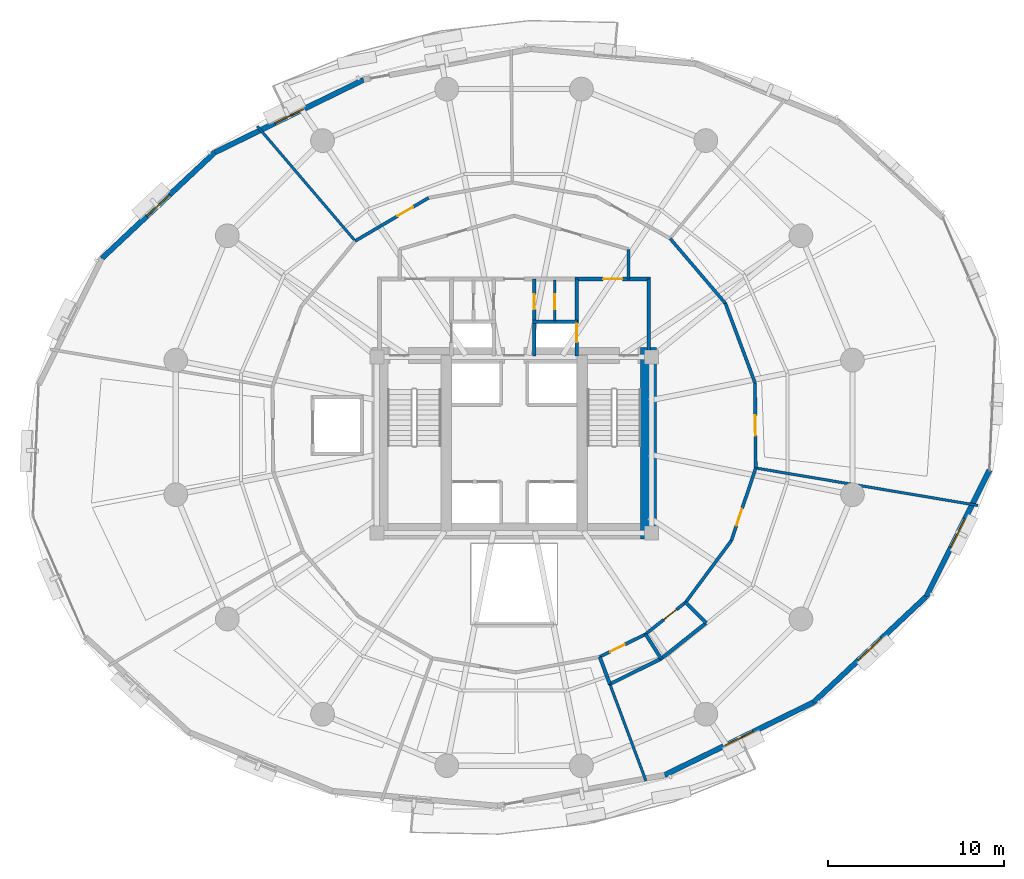
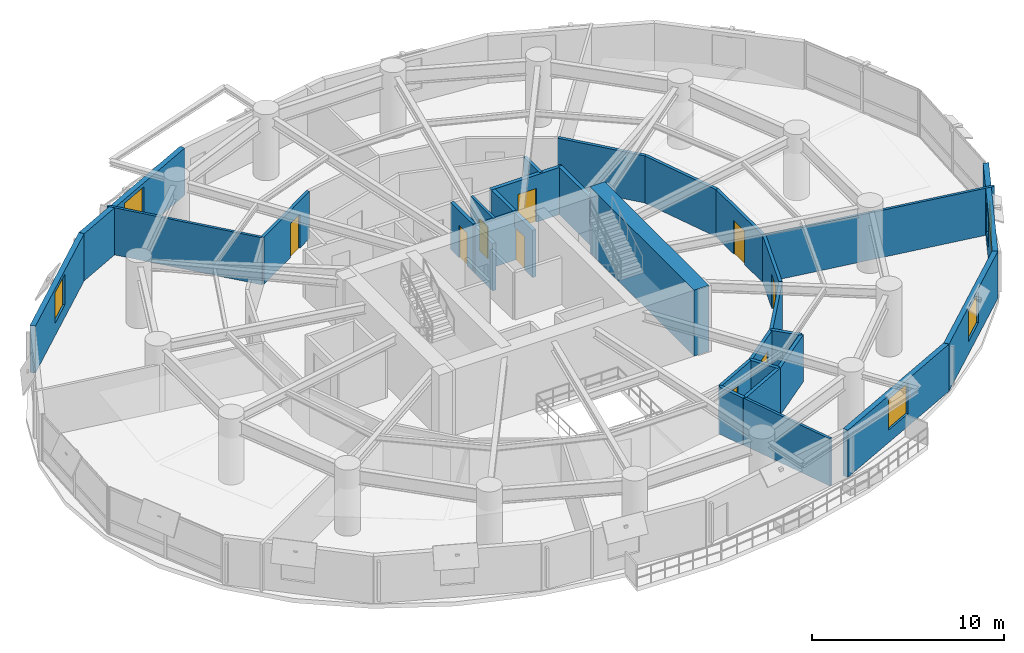
# One storey, part 13 of 17: 29 walls, 9 doors, 5 windows, 14 openings.
"""IFC4 building model written with IfcOpenShell, lengths in metres."""

import ifcopenshell
import ifcopenshell.guid

model = None  # the IFC model being written
_history = None  # IfcOwnerHistory: only IFC2X3 demands one
_inside = {}  # id of a spatial element -> (the spatial element, [elements in it])
_under = {}  # id of a project, library or spatial element -> (it, [spatial elements below it])
_declared = {}  # id of a project -> (the project, [libraries it declares])
_typed = {}  # id of a type object -> (the type object, [elements of that type])
_made_of = {}  # id of a material, layer set ... -> (it, [elements and type objects made of it])


def new_model(schema):
    """Start an empty IFC model of exactly this schema.

    Asked for "IFC4X3", IfcOpenShell would pick the latest addendum, in which some entities
    have other attributes; the version numbers below select the first issue.
    IFC2X3 requires an IfcOwnerHistory on every rooted entity: one is made here for all.
    """
    global model, _history
    if schema == "IFC4X3":
        model = ifcopenshell.file(schema_version=(4, 3, 0, 0))
    else:
        model = ifcopenshell.file(schema=schema)
    _inside.clear()
    _under.clear()
    _declared.clear()
    _typed.clear()
    _made_of.clear()
    _history = None
    if model.schema == "IFC2X3":
        org = make("IfcOrganization", Name="unknown")
        user = make(
            "IfcPersonAndOrganization",
            ThePerson=make("IfcPerson", FamilyName="unknown"),
            TheOrganization=org,
        )
        app = make(
            "IfcApplication",
            ApplicationDeveloper=org,
            Version="unknown",
            ApplicationFullName="unknown",
            ApplicationIdentifier="unknown",
        )
        _history = make(
            "IfcOwnerHistory",
            OwningUser=user,
            OwningApplication=app,
            ChangeAction="ADDED",
            CreationDate=0,
        )
    return model


def make(cls, **values):
    """One entity of the class cls with the attributes given. An attribute that is None is left unset."""
    return model.create_entity(
        cls, **{name: value for name, value in values.items() if value is not None}
    )


def rooted(cls, **values):
    """An entity with a GlobalId (a new one), such as an element, a storey or a relation."""
    return make(cls, GlobalId=ifcopenshell.guid.new(), OwnerHistory=_history, **values)


def si_unit(unit_type, name, prefix=None):
    """IfcSIUnit, for example si_unit("LENGTHUNIT", "METRE", prefix="MILLI")."""
    return make("IfcSIUnit", UnitType=unit_type, Prefix=prefix, Name=name)


def assignment(units):
    """IfcUnitAssignment: the units of a project."""
    return None if units is None else make("IfcUnitAssignment", Units=units)


def point(xyz):
    """IfcCartesianPoint."""
    return None if xyz is None else make("IfcCartesianPoint", Coordinates=xyz)


def direction(xyz):
    """IfcDirection."""
    return None if xyz is None else make("IfcDirection", DirectionRatios=xyz)


def frame(location, z_axis=None, x_axis=None):
    """IfcAxis2Placement3D, a coordinate frame: its origin and axes. An axis left out is left unset."""
    return make(
        "IfcAxis2Placement3D",
        Location=point(location),
        Axis=direction(z_axis),
        RefDirection=direction(x_axis),
    )


def frame_2d(location, x_axis=None):
    """IfcAxis2Placement2D, a coordinate frame in the plane: its origin and x axis."""
    return make(
        "IfcAxis2Placement2D", Location=point(location), RefDirection=direction(x_axis)
    )


def origin():
    """The frame at (0, 0, 0) with its axes left unset."""
    return frame((0.0, 0.0, 0.0))


def place(relative_to, where):
    """IfcLocalPlacement: puts the frame where relative to a parent placement (None: the world)."""
    return make(
        "IfcLocalPlacement", PlacementRelTo=relative_to, RelativePlacement=where
    )


def context(
    kind, dimensions, precision=None, world=None, true_north=None, identifier=None
):
    """IfcGeometricRepresentationContext, for example the 3D "Model" context."""
    return make(
        "IfcGeometricRepresentationContext",
        ContextIdentifier=identifier,
        ContextType=kind,
        CoordinateSpaceDimension=dimensions,
        Precision=precision,
        WorldCoordinateSystem=world,
        TrueNorth=true_north,
    )


def subcontext(parent, identifier, kind, view, scale=None):
    """IfcGeometricRepresentationSubContext, for example "Body" below "Model"."""
    return make(
        "IfcGeometricRepresentationSubContext",
        ContextIdentifier=identifier,
        ContextType=kind,
        ParentContext=parent,
        TargetScale=scale,
        TargetView=view,
    )


def project(units=None, contexts=None):
    """IfcProject with its units and contexts."""
    return rooted(
        "IfcProject",
        Name="project",
        RepresentationContexts=contexts,
        UnitsInContext=assignment(units),
    )


def spatial(cls, under=None, at=None, **own):
    """A site, building, storey or space (cls), placed at a placement, below another one or the project."""
    s = rooted(cls, ObjectPlacement=at, **own)
    if under is not None:
        _under.setdefault(under.id(), (under, []))[1].append(s)
    return s


def profile(cls, at=None, kind="AREA", **sizes):
    """A parametric profile (cls). Its sizes go by their IFC names, for example OverallWidth=200.0."""
    return make(cls, ProfileType=kind, Position=at, **sizes)


def rectangle(**sizes):
    """IfcRectangleProfileDef."""
    return profile("IfcRectangleProfileDef", **sizes)


def extrude(swept, where, along, depth):
    """IfcExtrudedAreaSolid: the profile swept, set in the frame where, extruded along a direction by depth."""
    return make(
        "IfcExtrudedAreaSolid",
        SweptArea=swept,
        Position=where,
        ExtrudedDirection=direction(along),
        Depth=depth,
    )


def shape(context_of_items, identifier, shape_type, items):
    """IfcShapeRepresentation: the items that make up one representation, for example the "Body"."""
    return make(
        "IfcShapeRepresentation",
        ContextOfItems=context_of_items,
        RepresentationIdentifier=identifier,
        RepresentationType=shape_type,
        Items=items,
    )


def material(Name=None, Category=None):
    """IfcMaterial."""
    return make("IfcMaterial", Name=Name, Category=Category)


def layer(
    of_material, thickness, ventilated=None, Name=None, Category=None, Priority=None
):
    """IfcMaterialLayer: one layer of a wall or slab, of a material (None: an air gap)."""
    return make(
        "IfcMaterialLayer",
        Material=of_material,
        LayerThickness=thickness,
        IsVentilated=ventilated,
        Name=Name,
        Category=Category,
        Priority=Priority,
    )


def layer_set(layers, Name=None):
    """IfcMaterialLayerSet."""
    return make("IfcMaterialLayerSet", MaterialLayers=layers, LayerSetName=Name)


def made_of(thing, what):
    """Note that an element or type object is made of a material, layer set ...; save() writes the relation."""
    if what is not None:
        _made_of.setdefault(what.id(), (what, []))[1].append(thing)
    return thing


def type_object(cls, material=None, **own):
    """A type object (cls), such as IfcWallType, which elements share."""
    return made_of(rooted(cls, **own), material)


def element(
    cls,
    number,
    at=None,
    inside=None,
    cuts=None,
    type_object=None,
    material=None,
    context=None,
    identifier="Body",
    shape_type=None,
    held_by="IfcProductDefinitionShape",
    body=None,
    shapes=None,
    **own,
):
    """One element of the class cls, such as IfcWall. Its Tag is "e" and its number.

    at: its placement. inside: the storey or other place that contains it. cuts: it is an
    opening in that element (IfcRelVoidsElement). A single representation is given by context,
    identifier, shape_type and body (its items); several are given by shapes. held_by: the class
    of the entity that holds the representations. save() writes the other relations.
    """
    e = rooted(cls, Tag="e%d" % number, ObjectPlacement=at, **own)
    if body is not None:
        shapes = [shape(context, identifier, shape_type, body)]
    if shapes is not None:
        e.Representation = make(held_by, Representations=shapes)
    if inside is not None:
        _inside.setdefault(inside.id(), (inside, []))[1].append(e)
    if cuts is not None:
        rooted(
            "IfcRelVoidsElement", RelatingBuildingElement=cuts, RelatedOpeningElement=e
        )
    if type_object is not None:
        _typed.setdefault(type_object.id(), (type_object, []))[1].append(e)
    return made_of(e, material)


def fill(opening, filler):
    """IfcRelFillsElement: the door or window that sits in an opening."""
    return rooted(
        "IfcRelFillsElement",
        RelatingOpeningElement=opening,
        RelatedBuildingElement=filler,
    )


def aggregate(whole, parts):
    """IfcRelAggregates: a whole, such as a stair, and the parts it consists of."""
    return rooted("IfcRelAggregates", RelatingObject=whole, RelatedObjects=parts)


def save(model, path):
    """Write the relations noted so far, then the file.

    IfcRelAggregates (storeys below a building ...), IfcRelContainedInSpatialStructure (elements
    in a storey), IfcRelDefinesByType, IfcRelAssociatesMaterial and IfcRelDeclares: one each for
    every whole, place, type object, material and project.
    """
    for whole, parts in _under.values():
        aggregate(whole, parts)
    for where, things in _inside.values():
        rooted(
            "IfcRelContainedInSpatialStructure",
            RelatedElements=things,
            RelatingStructure=where,
        )
    for kind, things in _typed.values():
        rooted("IfcRelDefinesByType", RelatedObjects=things, RelatingType=kind)
    for what, things in _made_of.values():
        rooted("IfcRelAssociatesMaterial", RelatedObjects=things, RelatingMaterial=what)
    for by, libraries in _declared.values():
        rooted("IfcRelDeclares", RelatingContext=by, RelatedDefinitions=libraries)
    model.write(path)


model = new_model("IFC4")

# Units and contexts
model_context = context("Model", 3, precision=1e-05, world=origin(), true_north=direction((0.0, 1.0)))
body_context = subcontext(model_context, "Body", "Model", "MODEL_VIEW")
ifc_project = project(units=[si_unit("LENGTHUNIT", "METRE"), si_unit("AREAUNIT", "SQUARE_METRE"), si_unit("VOLUMEUNIT", "CUBIC_METRE"), si_unit("PLANEANGLEUNIT", "RADIAN"), si_unit("MASSUNIT", "GRAM", prefix="KILO"), si_unit("THERMODYNAMICTEMPERATUREUNIT", "KELVIN"), si_unit("POWERUNIT", "WATT")], contexts=[model_context])

# Site, building, storey
site_placement = place(None, origin())
site = spatial("IfcSite", under=ifc_project, at=site_placement, CompositionType="ELEMENT")
building_placement = place(site_placement, origin())
building = spatial("IfcBuilding", under=site, at=building_placement, Name="Ocrelia Relay Tower", CompositionType="ELEMENT")
storey_placement = place(building_placement, frame((0.0, 0.0, 76.199951171875)))
storey = spatial("IfcBuildingStorey", under=building, at=storey_placement, Name="L17", CompositionType="ELEMENT", Elevation=76.199951171875)

# Walls
ifc_material_1 = material(Name="Concrete C70/85", Category="concrete")
ifc_layer_1 = layer(ifc_material_1, 0.89990234375, Name="Concrete C70/85")
ifc_layer_set_1 = layer_set([ifc_layer_1], Name="Concrete C70/85")
wall_type_1 = type_object("IfcWallType", Name="CW-CORE-900", PredefinedType="SHEAR", material=ifc_layer_set_1)
wall_1_placement = place(storey_placement, frame((41.637939453125, 19.662109375, 0.0), z_axis=(0.0, 0.0, 1.0), x_axis=(0.0, 1.0, 0.0)))
element("IfcWall", 1, at=wall_1_placement, inside=storey, type_object=wall_type_1, Name="L17 Core Shear Wall E", PredefinedType="SHEAR", context=body_context, shape_type="SweptSolid", body=[
    extrude(rectangle(XDim=10.8759765625, YDim=0.89990234375, at=frame_2d((5.43798828125, 0.0))), origin(), (0.0, 0.0, 1.0), 4.199951171875),
])
ifc_material_2 = material(Name="Gypsum Fireboard Partition EI60", Category="gypsum")
ifc_layer_2 = layer(ifc_material_2, 0.179931640625, Name="Gypsum Fireboard Partition EI60")
ifc_layer_set_2 = layer_set([ifc_layer_2], Name="Gypsum Fireboard Partition EI60")
wall_type_2 = type_object("IfcWallType", Name="W-CORR-EI60-180", PredefinedType="PARTITIONING", material=ifc_layer_set_2)
wall_2_placement = place(storey_placement, frame((40.5, 36.122802734375, 0.0), z_axis=(0.0, 0.0, 1.0), x_axis=(0.0, -1.0, 0.0)))
element("IfcWall", 2, at=wall_2_placement, inside=storey, type_object=wall_type_2, Name="L17 Smoke Lobby East Return", PredefinedType="PARTITIONING", context=body_context, shape_type="SweptSolid", body=[
    extrude(rectangle(XDim=1.69287109375, YDim=0.179931640625, at=frame_2d((0.846435546875, 0.0))), origin(), (0.0, 0.0, 1.0), 3.0),
])

# Wall, opening, door
wall_3_placement = place(storey_placement, frame((38.863525390625, 12.957275390625, 0.0), z_axis=(0.0, 0.0, 1.0), x_axis=(0.895331425302, 0.445400537568, 0.0)))
wall_3 = element("IfcWall", 3, at=wall_3_placement, inside=storey, type_object=wall_type_2, Name="L17 Staff Toilet Corridor Wall", PredefinedType="PARTITIONING", context=body_context, shape_type="SweptSolid", body=[
    extrude(rectangle(XDim=2.91015625, YDim=0.179931640625, at=frame_2d((1.455078125, 0.0))), origin(), (0.0, 0.0, 1.0), 3.0),
])
opening_1_placement = place(wall_3_placement, frame((0.6689453125, 0.0, 0.0)))
opening_1 = element("IfcOpeningElement", 4, at=opening_1_placement, cuts=wall_3, Name="Opening D-WC92", PredefinedType="OPENING", context=body_context, shape_type="SweptSolid", body=[
    extrude(rectangle(XDim=0.919921875, YDim=2.10009765625, at=frame_2d((0.4599609375, 1.050048828125))), frame((0.0, 0.10009765625, 0.0), z_axis=(0.0, -1.0, 0.0), x_axis=(1.0, 0.0, 0.0)), (0.0, 0.0, 1.0), 0.199951171875),
])
ifc_material_3 = material(Name="Laminate washroom door", Category="wood")
door_type_1 = type_object("IfcDoorType", Name="DR-WC-920", OperationType="NOTDEFINED", PredefinedType="DOOR", material=ifc_material_3)
door_1_placement = place(opening_1_placement, origin())
door_1 = element("IfcDoor", 5, at=door_1_placement, inside=storey, type_object=door_type_1, Name="L17 Staff Toilet Door", OperationType="SINGLE_SWING_RIGHT", OverallHeight=2.10009765625, OverallWidth=0.919921875, PredefinedType="DOOR", context=body_context, shape_type="SweptSolid", body=[
    extrude(rectangle(XDim=0.919921875, YDim=2.10009765625, at=frame_2d((0.4599609375, 1.050048828125))), frame((0.0, 0.02490234375, 0.0), z_axis=(0.0, -1.0, 0.0), x_axis=(1.0, 0.0, 0.0)), (0.0, 0.0, 1.0), 0.050048828125),
])
fill(opening_1, door_1)

wall_4_placement = place(storey_placement, frame((41.468994140625, 14.25341796875, 0.0), z_axis=(0.0, 0.0, 1.0), x_axis=(0.783155307365, 0.621826152993, 0.0)))
wall_4 = element("IfcWall", 6, at=wall_4_placement, inside=storey, type_object=wall_type_2, Name="L17 Accessible Toilet Corridor Wall", PredefinedType="PARTITIONING", context=body_context, shape_type="SweptSolid", body=[
    extrude(rectangle(XDim=2.91015625, YDim=0.179931640625, at=frame_2d((1.455078125, 0.0))), origin(), (0.0, 0.0, 1.0), 3.0),
])
opening_2_placement = place(wall_4_placement, frame((1.321044921875, 0.0, 0.0)))
opening_2 = element("IfcOpeningElement", 7, at=opening_2_placement, cuts=wall_4, Name="Opening D-WC92", PredefinedType="OPENING", context=body_context, shape_type="SweptSolid", body=[
    extrude(rectangle(XDim=0.919921875, YDim=2.10009765625, at=frame_2d((0.4599609375, 1.050048828125))), frame((0.0, 0.10009765625, 0.0), z_axis=(0.0, -1.0, 0.0), x_axis=(1.0, 0.0, 0.0)), (0.0, 0.0, 1.0), 0.199951171875),
])
door_2_placement = place(opening_2_placement, origin())
door_2 = element("IfcDoor", 8, at=door_2_placement, inside=storey, type_object=door_type_1, Name="L17 Accessible Toilet Door", OperationType="SINGLE_SWING_LEFT", OverallHeight=2.10009765625, OverallWidth=0.919921875, PredefinedType="DOOR", context=body_context, shape_type="SweptSolid", body=[
    extrude(rectangle(XDim=0.919921875, YDim=2.10009765625, at=frame_2d((0.4599609375, 1.050048828125))), frame((0.0, 0.02490234375, 0.0), z_axis=(0.0, -1.0, 0.0), x_axis=(1.0, 0.0, 0.0)), (0.0, 0.0, 1.0), 0.050048828125),
])
fill(opening_2, door_2)

# Wall
wall_5_placement = place(storey_placement, frame((43.748046875, 16.06298828125, 0.0), z_axis=(0.0, 0.0, 1.0), x_axis=(0.595496979613, 0.803357546346, 0.0)))
element("IfcWall", 9, at=wall_5_placement, inside=storey, type_object=wall_type_2, Name="L17 Fiber Patch Store Corridor Partition 1", PredefinedType="PARTITIONING", context=body_context, shape_type="SweptSolid", body=[
    extrude(rectangle(XDim=4.355224609375, YDim=0.179931640625, at=frame_2d((2.177734375, 0.0))), origin(), (0.0, 0.0, 1.0), 3.0),
])

# Wall, opening, door
wall_6_placement = place(storey_placement, frame((46.341552734375, 19.561767578125, 0.0), z_axis=(0.0, 0.0, 1.0), x_axis=(0.318127487837, 0.948047942608, 0.0)))
wall_6 = element("IfcWall", 10, at=wall_6_placement, inside=storey, type_object=wall_type_2, Name="L17 Fiber Patch Store Corridor Partition 2", PredefinedType="PARTITIONING", context=body_context, shape_type="SweptSolid", body=[
    extrude(rectangle(XDim=4.355224609375, YDim=0.179931640625, at=frame_2d((2.177734375, 0.0))), origin(), (0.0, 0.0, 1.0), 3.0),
])
opening_3_placement = place(wall_6_placement, frame((0.913818359375, 0.0, 0.0)))
opening_3 = element("IfcOpeningElement", 11, at=opening_3_placement, cuts=wall_6, Name="Opening D-RM100", PredefinedType="OPENING", context=body_context, shape_type="SweptSolid", body=[
    extrude(rectangle(XDim=1.0, YDim=2.14990234375, at=frame_2d((0.5, 1.074951171875))), frame((0.0, 0.10009765625, 0.0), z_axis=(0.0, -1.0, 0.0), x_axis=(1.0, 0.0, 0.0)), (0.0, 0.0, 1.0), 0.199951171875),
])
ifc_material_4 = material(Name="Acoustic oak veneer fire door", Category="wood")
door_type_2 = type_object("IfcDoorType", Name="DR-ROOM-FD60-1000", OperationType="NOTDEFINED", PredefinedType="DOOR", material=ifc_material_4)
door_3_placement = place(opening_3_placement, origin())
door_3 = element("IfcDoor", 12, at=door_3_placement, inside=storey, type_object=door_type_2, Name="L17 Fiber Patch Store Entrance Door", OperationType="SINGLE_SWING_RIGHT", OverallHeight=2.14990234375, OverallWidth=1.0, PredefinedType="DOOR", context=body_context, shape_type="SweptSolid", body=[
    extrude(rectangle(XDim=1.0, YDim=2.14990234375, at=frame_2d((0.5, 1.074951171875))), frame((0.0, 0.02490234375, 0.0), z_axis=(0.0, -1.0, 0.0), x_axis=(1.0, 0.0, 0.0)), (0.0, 0.0, 1.0), 0.050048828125),
])
fill(opening_3, door_3)

wall_7_placement = place(storey_placement, frame((47.72705078125, 23.690673828125, 0.0), z_axis=(0.0, 0.0, 1.0), x_axis=(-0.007827647661, 0.999969363497, 0.0)))
wall_7 = element("IfcWall", 13, at=wall_7_placement, inside=storey, type_object=wall_type_2, Name="L17 Colocation Data Hall A Corridor Partition 1", PredefinedType="PARTITIONING", context=body_context, shape_type="SweptSolid", body=[
    extrude(rectangle(XDim=4.83447265625, YDim=0.179931640625, at=frame_2d((2.417236328125, 0.0))), origin(), (0.0, 0.0, 1.0), 3.0),
])
opening_4_placement = place(wall_7_placement, frame((1.84228515625, 0.0, 0.0)))
opening_4 = element("IfcOpeningElement", 14, at=opening_4_placement, cuts=wall_7, Name="Opening D-RM115", PredefinedType="OPENING", context=body_context, shape_type="SweptSolid", body=[
    extrude(rectangle(XDim=1.14990234375, YDim=2.14990234375, at=frame_2d((0.574951171875, 1.074951171875))), frame((0.0, 0.10009765625, 0.0), z_axis=(0.0, -1.0, 0.0), x_axis=(1.0, 0.0, 0.0)), (0.0, 0.0, 1.0), 0.199951171875),
])
ifc_material_5 = material(Name="Wide acoustic oak veneer fire door", Category="wood")
door_type_3 = type_object("IfcDoorType", Name="DR-ROOM-1150", OperationType="NOTDEFINED", PredefinedType="DOOR", material=ifc_material_5)
door_4_placement = place(opening_4_placement, origin())
door_4 = element("IfcDoor", 15, at=door_4_placement, inside=storey, type_object=door_type_3, Name="L17 Colocation Data Hall A Entrance Door", OperationType="SINGLE_SWING_LEFT", OverallHeight=2.14990234375, OverallWidth=1.14990234375, PredefinedType="DOOR", context=body_context, shape_type="SweptSolid", body=[
    extrude(rectangle(XDim=1.14990234375, YDim=2.14990234375, at=frame_2d((0.574951171875, 1.074951171875))), frame((0.0, 0.02490234375, 0.0), z_axis=(0.0, -1.0, 0.0), x_axis=(1.0, 0.0, 0.0)), (0.0, 0.0, 1.0), 0.050048828125),
])
fill(opening_4, door_4)

# Walls
wall_8_placement = place(storey_placement, frame((47.689208984375, 28.52490234375, 0.0), z_axis=(0.0, 0.0, 1.0), x_axis=(-0.349423780352, 0.936964792148, 0.0)))
element("IfcWall", 16, at=wall_8_placement, inside=storey, type_object=wall_type_2, Name="L17 Colocation Data Hall A Corridor Partition 2", PredefinedType="PARTITIONING", context=body_context, shape_type="SweptSolid", body=[
    extrude(rectangle(XDim=4.834228515625, YDim=0.179931640625, at=frame_2d((2.4169921875, 0.0))), origin(), (0.0, 0.0, 1.0), 3.0),
])
wall_9_placement = place(storey_placement, frame((46.0, 33.054443359375, 0.0), z_axis=(0.0, 0.0, 1.0), x_axis=(-0.648772052091, 0.760982801662, 0.0)))
element("IfcWall", 17, at=wall_9_placement, inside=storey, type_object=wall_type_2, Name="L17 Colocation Data Hall A Corridor Partition 3", PredefinedType="PARTITIONING", context=body_context, shape_type="SweptSolid", body=[
    extrude(rectangle(XDim=4.83447265625, YDim=0.179931640625, at=frame_2d((2.417236328125, 0.0))), origin(), (0.0, 0.0, 1.0), 3.0),
])

# Wall, opening, door
wall_10_placement = place(storey_placement, frame((29.136474609375, 39.042724609375, 0.0), z_axis=(0.0, 0.0, 1.0), x_axis=(-0.862070500673, -0.506788369904, 0.0)))
wall_10 = element("IfcWall", 18, at=wall_10_placement, inside=storey, type_object=wall_type_2, Name="L17 Archive Vault Store Corridor Partition 2", PredefinedType="PARTITIONING", context=body_context, shape_type="SweptSolid", body=[
    extrude(rectangle(XDim=4.834228515625, YDim=0.179931640625, at=frame_2d((2.4169921875, 0.0))), origin(), (0.0, 0.0, 1.0), 3.0),
])
opening_5_placement = place(wall_10_placement, frame((1.03369140625, 0.0, 0.0)))
opening_5 = element("IfcOpeningElement", 19, at=opening_5_placement, cuts=wall_10, Name="Opening D-RM100", PredefinedType="OPENING", context=body_context, shape_type="SweptSolid", body=[
    extrude(rectangle(XDim=1.0, YDim=2.14990234375, at=frame_2d((0.5, 1.074951171875))), frame((0.0, 0.10009765625, 0.0), z_axis=(0.0, -1.0, 0.0), x_axis=(1.0, 0.0, 0.0)), (0.0, 0.0, 1.0), 0.199951171875),
])
door_5_placement = place(opening_5_placement, origin())
door_5 = element("IfcDoor", 20, at=door_5_placement, inside=storey, type_object=door_type_2, Name="L17 Archive Vault Store Entrance Door", OperationType="SINGLE_SWING_LEFT", OverallHeight=2.14990234375, OverallWidth=1.0, PredefinedType="DOOR", context=body_context, shape_type="SweptSolid", body=[
    extrude(rectangle(XDim=1.0, YDim=2.14990234375, at=frame_2d((0.5, 1.074951171875))), frame((0.0, 0.02490234375, 0.0), z_axis=(0.0, -1.0, 0.0), x_axis=(1.0, 0.0, 0.0)), (0.0, 0.0, 1.0), 0.050048828125),
])
fill(opening_5, door_5)

# Wall, opening, window
ifc_material_6 = material(Name="Precast concrete C40/50 with oxide terracotta", Category="masonry")
ifc_layer_3 = layer(ifc_material_6, 0.300048828125, Name="Precast concrete C40/50 with oxide terracotta")
ifc_layer_set_3 = layer_set([ifc_layer_3], Name="Precast concrete C40/50 with oxide terracotta")
wall_type_3 = type_object("IfcWallType", Name="W-EXT-TERR-300", PredefinedType="SOLIDWALL", material=ifc_layer_set_3)
wall_11_placement = place(storey_placement, frame((25.447998046875, 45.7529296875, 0.0), z_axis=(0.0, 0.0, 1.0), x_axis=(-0.898541129578, -0.438889323699, 0.0)))
wall_11 = element("IfcWall", 21, at=wall_11_placement, inside=storey, type_object=wall_type_3, Name="L17 Oxide Terracotta Facade Wall 06", PredefinedType="SOLIDWALL", context=body_context, shape_type="SweptSolid", body=[
    extrude(rectangle(XDim=9.418701171875, YDim=0.300048828125, at=frame_2d((4.70947265625, 0.0))), origin(), (0.0, 0.0, 1.0), 3.0),
])
opening_6_placement = place(wall_11_placement, frame((3.80908203125, 0.0, 0.800048828125)))
opening_6 = element("IfcOpeningElement", 22, at=opening_6_placement, cuts=wall_11, Name="Opening W-02", PredefinedType="OPENING", context=body_context, shape_type="SweptSolid", body=[
    extrude(rectangle(XDim=1.800048828125, YDim=1.949951171875, at=frame_2d((0.89990234375, 0.97509765625))), frame((0.0, 0.16015625, 0.0), z_axis=(0.0, -1.0, 0.0), x_axis=(1.0, 0.0, 0.0)), (0.0, 0.0, 1.0), 0.320068359375),
])
ifc_material_7 = material(Name="Clear double-glazed low-E glass", Category="glass")
window_type = type_object("IfcWindowType", Name="WIN-Z1-1800x2100", PartitioningType="DOUBLE_PANEL_VERTICAL", PredefinedType="WINDOW", material=ifc_material_7)
window_1_placement = place(opening_6_placement, origin())
window_1 = element("IfcWindow", 23, at=window_1_placement, inside=storey, type_object=window_type, Name="L17 Facade Module Window 06", OverallHeight=1.949951171875, OverallWidth=1.800048828125, PartitioningType="SINGLE_PANEL", PredefinedType="WINDOW", context=body_context, shape_type="SweptSolid", body=[
    extrude(rectangle(XDim=1.800048828125, YDim=1.949951171875, at=frame_2d((0.89990234375, 0.97509765625))), frame((0.0, 0.030029296875, 0.0), z_axis=(0.0, -1.0, 0.0), x_axis=(1.0, 0.0, 0.0)), (0.0, 0.0, 1.0), 0.06005859375),
])
fill(opening_6, window_1)

wall_12_placement = place(storey_placement, frame((16.98486328125, 41.619140625, 0.0), z_axis=(0.0, 0.0, 1.0), x_axis=(-0.729132694963, -0.684372349775, 0.0)))
wall_12 = element("IfcWall", 24, at=wall_12_placement, inside=storey, type_object=wall_type_3, Name="L17 Oxide Terracotta Facade Wall 07", PredefinedType="SOLIDWALL", context=body_context, shape_type="SweptSolid", body=[
    extrude(rectangle(XDim=8.79248046875, YDim=0.300048828125, at=frame_2d((4.396240234375, 0.0))), origin(), (0.0, 0.0, 1.0), 3.0),
])
opening_7_placement = place(wall_12_placement, frame((3.49609375, 0.0, 0.800048828125)))
opening_7 = element("IfcOpeningElement", 25, at=opening_7_placement, cuts=wall_12, Name="Opening W-02", PredefinedType="OPENING", context=body_context, shape_type="SweptSolid", body=[
    extrude(rectangle(XDim=1.800048828125, YDim=1.949951171875, at=frame_2d((0.89990234375, 0.97509765625))), frame((0.0, 0.16015625, 0.0), z_axis=(0.0, -1.0, 0.0), x_axis=(1.0, 0.0, 0.0)), (0.0, 0.0, 1.0), 0.320068359375),
])
window_2_placement = place(opening_7_placement, origin())
window_2 = element("IfcWindow", 26, at=window_2_placement, inside=storey, type_object=window_type, Name="L17 Facade Module Window 07", OverallHeight=1.949951171875, OverallWidth=1.800048828125, PartitioningType="SINGLE_PANEL", PredefinedType="WINDOW", context=body_context, shape_type="SweptSolid", body=[
    extrude(rectangle(XDim=1.800048828125, YDim=1.949951171875, at=frame_2d((0.89990234375, 0.97509765625))), frame((0.0, 0.030029296875, 0.0), z_axis=(0.0, -1.0, 0.0), x_axis=(1.0, 0.0, 0.0)), (0.0, 0.0, 1.0), 0.06005859375),
])
fill(opening_7, window_2)

wall_13_placement = place(storey_placement, frame((42.552001953125, 6.2470703125, 0.0), z_axis=(0.0, 0.0, 1.0), x_axis=(0.898541129578, 0.438889323699, 0.0)))
wall_13 = element("IfcWall", 27, at=wall_13_placement, inside=storey, type_object=wall_type_3, Name="L17 Oxide Terracotta Facade Wall 15", PredefinedType="SOLIDWALL", context=body_context, shape_type="SweptSolid", body=[
    extrude(rectangle(XDim=9.418701171875, YDim=0.300048828125, at=frame_2d((4.70947265625, 0.0))), origin(), (0.0, 0.0, 1.0), 3.0),
])
opening_8_placement = place(wall_13_placement, frame((3.80908203125, 0.0, 0.800048828125)))
opening_8 = element("IfcOpeningElement", 28, at=opening_8_placement, cuts=wall_13, Name="Opening W-02", PredefinedType="OPENING", context=body_context, shape_type="SweptSolid", body=[
    extrude(rectangle(XDim=1.800048828125, YDim=1.949951171875, at=frame_2d((0.89990234375, 0.97509765625))), frame((0.0, 0.16015625, 0.0), z_axis=(0.0, -1.0, 0.0), x_axis=(1.0, 0.0, 0.0)), (0.0, 0.0, 1.0), 0.320068359375),
])
window_3_placement = place(opening_8_placement, origin())
window_3 = element("IfcWindow", 29, at=window_3_placement, inside=storey, type_object=window_type, Name="L17 Facade Module Window 15", OverallHeight=1.949951171875, OverallWidth=1.800048828125, PartitioningType="SINGLE_PANEL", PredefinedType="WINDOW", context=body_context, shape_type="SweptSolid", body=[
    extrude(rectangle(XDim=1.800048828125, YDim=1.949951171875, at=frame_2d((0.89990234375, 0.97509765625))), frame((0.0, 0.030029296875, 0.0), z_axis=(0.0, -1.0, 0.0), x_axis=(1.0, 0.0, 0.0)), (0.0, 0.0, 1.0), 0.06005859375),
])
fill(opening_8, window_3)

wall_14_placement = place(storey_placement, frame((51.01513671875, 10.380859375, 0.0), z_axis=(0.0, 0.0, 1.0), x_axis=(0.729132694963, 0.684372349775, 0.0)))
wall_14 = element("IfcWall", 30, at=wall_14_placement, inside=storey, type_object=wall_type_3, Name="L17 Oxide Terracotta Facade Wall 16", PredefinedType="SOLIDWALL", context=body_context, shape_type="SweptSolid", body=[
    extrude(rectangle(XDim=8.79248046875, YDim=0.300048828125, at=frame_2d((4.396240234375, 0.0))), origin(), (0.0, 0.0, 1.0), 3.0),
])
opening_9_placement = place(wall_14_placement, frame((3.49609375, 0.0, 0.800048828125)))
opening_9 = element("IfcOpeningElement", 31, at=opening_9_placement, cuts=wall_14, Name="Opening W-02", PredefinedType="OPENING", context=body_context, shape_type="SweptSolid", body=[
    extrude(rectangle(XDim=1.800048828125, YDim=1.949951171875, at=frame_2d((0.89990234375, 0.97509765625))), frame((0.0, 0.16015625, 0.0), z_axis=(0.0, -1.0, 0.0), x_axis=(1.0, 0.0, 0.0)), (0.0, 0.0, 1.0), 0.320068359375),
])
window_4_placement = place(opening_9_placement, origin())
window_4 = element("IfcWindow", 32, at=window_4_placement, inside=storey, type_object=window_type, Name="L17 Facade Module Window 16", OverallHeight=1.949951171875, OverallWidth=1.800048828125, PartitioningType="SINGLE_PANEL", PredefinedType="WINDOW", context=body_context, shape_type="SweptSolid", body=[
    extrude(rectangle(XDim=1.800048828125, YDim=1.949951171875, at=frame_2d((0.89990234375, 0.97509765625))), frame((0.0, 0.030029296875, 0.0), z_axis=(0.0, -1.0, 0.0), x_axis=(1.0, 0.0, 0.0)), (0.0, 0.0, 1.0), 0.06005859375),
])
fill(opening_9, window_4)

wall_15_placement = place(storey_placement, frame((57.426025390625, 16.398193359375, 0.0), z_axis=(0.0, 0.0, 1.0), x_axis=(0.44697009801, 0.894548898319, 0.0)))
wall_15 = element("IfcWall", 33, at=wall_15_placement, inside=storey, type_object=wall_type_3, Name="L17 Oxide Terracotta Facade Wall 17", PredefinedType="SOLIDWALL", context=body_context, shape_type="SweptSolid", body=[
    extrude(rectangle(XDim=8.021728515625, YDim=0.300048828125, at=frame_2d((4.0107421875, 0.0))), origin(), (0.0, 0.0, 1.0), 3.0),
])
opening_10_placement = place(wall_15_placement, frame((3.111083984375, 0.0, 0.800048828125)))
opening_10 = element("IfcOpeningElement", 34, at=opening_10_placement, cuts=wall_15, Name="Opening W-02", PredefinedType="OPENING", context=body_context, shape_type="SweptSolid", body=[
    extrude(rectangle(XDim=1.800048828125, YDim=1.949951171875, at=frame_2d((0.89990234375, 0.97509765625))), frame((0.0, 0.16015625, 0.0), z_axis=(0.0, -1.0, 0.0), x_axis=(1.0, 0.0, 0.0)), (0.0, 0.0, 1.0), 0.320068359375),
])
window_5_placement = place(opening_10_placement, origin())
window_5 = element("IfcWindow", 35, at=window_5_placement, inside=storey, type_object=window_type, Name="L17 Facade Module Window 17", OverallHeight=1.949951171875, OverallWidth=1.800048828125, PartitioningType="SINGLE_PANEL", PredefinedType="WINDOW", context=body_context, shape_type="SweptSolid", body=[
    extrude(rectangle(XDim=1.800048828125, YDim=1.949951171875, at=frame_2d((0.89990234375, 0.97509765625))), frame((0.0, 0.030029296875, 0.0), z_axis=(0.0, -1.0, 0.0), x_axis=(1.0, 0.0, 0.0)), (0.0, 0.0, 1.0), 0.06005859375),
])
fill(opening_10, window_5)

# Wall, opening, door
ifc_material_8 = material(Name="Concrete C50/60", Category="concrete")
ifc_layer_4 = layer(ifc_material_8, 0.219970703125, Name="Concrete C50/60")
ifc_layer_set_4 = layer_set([ifc_layer_4], Name="Concrete C50/60")
wall_type_4 = type_object("IfcWallType", Name="W-FFL-EI120-220", PredefinedType="SOLIDWALL", material=ifc_layer_set_4)
wall_16_placement = place(storey_placement, frame((37.56005859375, 30.050048828125, 0.0), z_axis=(0.0, 0.0, 1.0), x_axis=(0.0, 1.0, 0.0)))
wall_16 = element("IfcWall", 36, at=wall_16_placement, inside=storey, type_object=wall_type_4, Name="L17 E Fire Service Lift Lobby West Wall", PredefinedType="SOLIDWALL", context=body_context, shape_type="SweptSolid", body=[
    extrude(rectangle(XDim=4.3798828125, YDim=0.219970703125, at=frame_2d((2.18994140625, 0.0))), origin(), (0.0, 0.0, 1.0), 3.0),
])
opening_11_placement = place(wall_16_placement, frame((0.800048828125, 0.0, 0.0)))
opening_11 = element("IfcOpeningElement", 37, at=opening_11_placement, cuts=wall_16, Name="Opening LD-FFL2", PredefinedType="OPENING", context=body_context, shape_type="SweptSolid", body=[
    extrude(rectangle(XDim=1.050048828125, YDim=2.10009765625, at=frame_2d((0.52490234375, 1.050048828125))), frame((0.0, 0.1201171875, 0.0), z_axis=(0.0, -1.0, 0.0), x_axis=(1.0, 0.0, 0.0)), (0.0, 0.0, 1.0), 0.239990234375),
])
ifc_material_9 = material(Name="Brushed stainless steel S355 lift landing door", Category="steel")
door_type_4 = type_object("IfcDoorType", Name="DR-LIFT-LAND-1050", OperationType="DOUBLE_DOOR_SLIDING", PredefinedType="USERDEFINED", material=ifc_material_9)
door_6_placement = place(opening_11_placement, origin())
door_6 = element("IfcDoor", 38, at=door_6_placement, inside=storey, type_object=door_type_4, Name="L17 Firefighting Lift FFL2 Sliding Landing Door", ObjectType="LANDING DOOR", OperationType="DOUBLE_DOOR_SLIDING", OverallHeight=2.10009765625, OverallWidth=1.050048828125, PredefinedType="USERDEFINED", context=body_context, shape_type="SweptSolid", body=[
    extrude(rectangle(XDim=1.050048828125, YDim=2.10009765625, at=frame_2d((0.52490234375, 1.050048828125))), frame((0.0, 0.02490234375, 0.0), z_axis=(0.0, -1.0, 0.0), x_axis=(1.0, 0.0, 0.0)), (0.0, 0.0, 1.0), 0.050048828125),
])
fill(opening_11, door_6)

# Wall
wall_17_placement = place(storey_placement, frame((41.64990234375, 30.050048828125, 0.0), z_axis=(0.0, 0.0, 1.0), x_axis=(0.0, 1.0, 0.0)))
element("IfcWall", 39, at=wall_17_placement, inside=storey, type_object=wall_type_4, Name="L17 E Fire Service Lift Lobby East Wall", PredefinedType="SOLIDWALL", context=body_context, shape_type="SweptSolid", body=[
    extrude(rectangle(XDim=4.3798828125, YDim=0.219970703125, at=frame_2d((2.18994140625, 0.0))), origin(), (0.0, 0.0, 1.0), 3.0),
])

# Wall, opening, door
wall_18_placement = place(storey_placement, frame((37.449951171875, 34.429931640625, 0.0), z_axis=(0.0, 0.0, 1.0), x_axis=(1.0, 0.0, 0.0)))
wall_18 = element("IfcWall", 40, at=wall_18_placement, inside=storey, type_object=wall_type_4, Name="L17 E Fire Service Lift Lobby North Wall", PredefinedType="SOLIDWALL", context=body_context, shape_type="SweptSolid", body=[
    extrude(rectangle(XDim=4.31005859375, YDim=0.219970703125, at=frame_2d((2.155029296875, 0.0))), origin(), (0.0, 0.0, 1.0), 3.0),
])
opening_12_placement = place(wall_18_placement, frame((1.60009765625, 0.0, 0.0)))
opening_12 = element("IfcOpeningElement", 41, at=opening_12_placement, cuts=wall_18, Name="Opening D-FD60", PredefinedType="OPENING", context=body_context, shape_type="SweptSolid", body=[
    extrude(rectangle(XDim=1.10009765625, YDim=2.14990234375, at=frame_2d((0.550048828125, 1.074951171875))), frame((0.0, 0.1201171875, 0.0), z_axis=(0.0, -1.0, 0.0), x_axis=(1.0, 0.0, 0.0)), (0.0, 0.0, 1.0), 0.239990234375),
])
ifc_material_10 = material(Name="Timber-core 60-min acoustic fire door", Category="wood")
door_type_5 = type_object("IfcDoorType", Name="DR-LOBBY-FD60-1100", OperationType="NOTDEFINED", PredefinedType="DOOR", material=ifc_material_10)
door_7_placement = place(opening_12_placement, origin())
door_7 = element("IfcDoor", 42, at=door_7_placement, inside=storey, type_object=door_type_5, Name="L17 E Fire Service Lift Lobby Exit Door", OperationType="SINGLE_SWING_LEFT", OverallHeight=2.14990234375, OverallWidth=1.10009765625, PredefinedType="DOOR", context=body_context, shape_type="SweptSolid", body=[
    extrude(rectangle(XDim=1.10009765625, YDim=2.14990234375, at=frame_2d((0.550048828125, 1.074951171875))), frame((0.0, 0.02490234375, 0.0), z_axis=(0.0, -1.0, 0.0), x_axis=(1.0, 0.0, 0.0)), (0.0, 0.0, 1.0), 0.050048828125),
])
fill(opening_12, door_7)

ifc_material_11 = material(Name="Acoustic Fireboard Partition EI60", Category="gypsum")
ifc_layer_5 = layer(ifc_material_11, 0.14990234375, Name="Acoustic Fireboard Partition EI60")
ifc_layer_set_5 = layer_set([ifc_layer_5], Name="Acoustic Fireboard Partition EI60")
wall_type_5 = type_object("IfcWallType", Name="W-PART-150", PredefinedType="PARTITIONING", material=ifc_layer_set_5)
wall_19_placement = place(storey_placement, frame((36.31005859375, 32.050048828125, 0.0), z_axis=(0.0, 0.0, 1.0), x_axis=(0.0, 1.0, 0.0)))
wall_19 = element("IfcWall", 43, at=wall_19_placement, inside=storey, type_object=wall_type_5, Name="L17 East Core Support Partition", PredefinedType="PARTITIONING", context=body_context, shape_type="SweptSolid", body=[
    extrude(rectangle(XDim=2.329833984375, YDim=0.14990234375, at=frame_2d((1.1650390625, 0.0))), origin(), (0.0, 0.0, 1.0), 3.0),
])
opening_13_placement = place(wall_19_placement, frame((0.64990234375, 0.0, 0.0)))
opening_13 = element("IfcOpeningElement", 44, at=opening_13_placement, cuts=wall_19, Name="Opening D-RS86", PredefinedType="OPENING", context=body_context, shape_type="SweptSolid", body=[
    extrude(rectangle(XDim=0.860107421875, YDim=2.050048828125, at=frame_2d((0.43017578125, 1.02490234375))), frame((0.0, 0.0849609375, 0.0), z_axis=(0.0, -1.0, 0.0), x_axis=(1.0, 0.0, 0.0)), (0.0, 0.0, 1.0), 0.169921875),
])
ifc_material_12 = material(Name="Steel S355 riser access fire door", Category="steel")
door_type_6 = type_object("IfcDoorType", Name="DR-RISER-TRAP-860", OperationType="NOTDEFINED", PredefinedType="TRAPDOOR", material=ifc_material_12)
door_8_placement = place(opening_13_placement, origin())
door_8 = element("IfcDoor", 45, at=door_8_placement, inside=storey, type_object=door_type_6, Name="L17 East Core Store Connecting Door", OperationType="SINGLE_SWING_LEFT", OverallHeight=2.050048828125, OverallWidth=0.860107421875, PredefinedType="TRAPDOOR", context=body_context, shape_type="SweptSolid", body=[
    extrude(rectangle(XDim=0.860107421875, YDim=2.050048828125, at=frame_2d((0.43017578125, 1.02490234375))), frame((0.0, 0.02490234375, 0.0), z_axis=(0.0, -1.0, 0.0), x_axis=(1.0, 0.0, 0.0)), (0.0, 0.0, 1.0), 0.050048828125),
])
fill(opening_13, door_8)

# Walls
wall_20_placement = place(storey_placement, frame((39.43994140625, 11.411376953125, 0.0), z_axis=(0.0, 0.0, 1.0), x_axis=(0.349393600654, -0.936976046557, 0.0)))
element("IfcWall", 46, at=wall_20_placement, inside=storey, type_object=wall_type_5, Name="L17 Fiber Patch Store Radial Partition", PredefinedType="PARTITIONING", context=body_context, shape_type="SweptSolid", body=[
    extrude(rectangle(XDim=5.864013671875, YDim=0.14990234375, at=frame_2d((2.93212890625, 0.0))), origin(), (0.0, 0.0, 1.0), 3.0),
])
wall_21_placement = place(storey_placement, frame((47.72705078125, 23.690673828125, 0.0), z_axis=(0.0, 0.0, 1.0), x_axis=(0.986140728359, -0.165911011907, 0.0)))
element("IfcWall", 47, at=wall_21_placement, inside=storey, type_object=wall_type_5, Name="L17 Fiber Patch Store Radial Partition", PredefinedType="PARTITIONING", context=body_context, shape_type="SweptSolid", body=[
    extrude(rectangle(XDim=12.80224609375, YDim=0.14990234375, at=frame_2d((6.401123046875, 0.0))), origin(), (0.0, 0.0, 1.0), 3.0),
])
wall_22_placement = place(storey_placement, frame((24.968994140625, 36.5927734375, 0.0), z_axis=(0.0, 0.0, 1.0), x_axis=(-0.648805013495, 0.76095469935, 0.0)))
element("IfcWall", 48, at=wall_22_placement, inside=storey, type_object=wall_type_5, Name="L17 Archive Vault Store Radial Partition", PredefinedType="PARTITIONING", context=body_context, shape_type="SweptSolid", body=[
    extrude(rectangle(XDim=8.57275390625, YDim=0.14990234375, at=frame_2d((4.286376953125, 0.0))), origin(), (0.0, 0.0, 1.0), 3.0),
])
ifc_material_13 = material(Name="Moisture-Resistant Fireboard Chase Wall EI60", Category="gypsum")
ifc_layer_6 = layer(ifc_material_13, 0.199951171875, Name="Moisture-Resistant Fireboard Chase Wall EI60")
ifc_layer_set_6 = layer_set([ifc_layer_6], Name="Moisture-Resistant Fireboard Chase Wall EI60")
wall_type_6 = type_object("IfcWallType", Name="W-PLUMB-200", PredefinedType="PLUMBINGWALL", material=ifc_layer_set_6)
for number, where, z_axis, x_axis, name in (
    (49, (38.863525390625, 12.957275390625, 0.0), (0.0, 0.0, 1.0), (0.349371439651, -0.936984309984, 0.0), "L17 Staff Toilet Plumbing Radial Wall"),
    (50, (41.468994140625, 14.25341796875, 0.0), (0.0, 0.0, 1.0), (0.536540340611, -0.843874672506, 0.0), "L17 Staff Toilet Plumbing Radial Wall"),
):
    element("IfcWall", number, at=place(storey_placement, frame(where, z_axis=z_axis, x_axis=x_axis)), inside=storey, type_object=wall_type_6, Name=name, PredefinedType="PLUMBINGWALL", context=body_context, shape_type="SweptSolid", body=[
        extrude(rectangle(XDim=1.64990234375, YDim=0.199951171875, at=frame_2d((0.824951171875, 0.0))), origin(), (0.0, 0.0, 1.0), 3.0),
    ])
wall_23_placement = place(storey_placement, frame((39.43994140625, 11.411376953125, 0.0), z_axis=(0.0, 0.0, 1.0), x_axis=(0.895340385459, 0.445382525664, 0.0)))
element("IfcWall", 51, at=wall_23_placement, inside=storey, type_object=wall_type_6, Name="L17 Staff Toilet Back Plumbing Wall", PredefinedType="PLUMBINGWALL", context=body_context, shape_type="SweptSolid", body=[
    extrude(rectangle(XDim=3.2548828125, YDim=0.199951171875, at=frame_2d((1.62744140625, 0.0))), origin(), (0.0, 0.0, 1.0), 3.0),
])
wall_24_placement = place(storey_placement, frame((43.748046875, 16.06298828125, 0.0), z_axis=(0.0, 0.0, 1.0), x_axis=(0.700342092657, -0.713807364246, 0.0)))
element("IfcWall", 52, at=wall_24_placement, inside=storey, type_object=wall_type_6, Name="L17 Accessible Toilet Plumbing Radial Wall", PredefinedType="PLUMBINGWALL", context=body_context, shape_type="SweptSolid", body=[
    extrude(rectangle(XDim=1.64990234375, YDim=0.199951171875, at=frame_2d((0.824951171875, 0.0))), origin(), (0.0, 0.0, 1.0), 3.0),
])
wall_25_placement = place(storey_placement, frame((42.354248046875, 12.861083984375, 0.0), z_axis=(0.0, 0.0, 1.0), x_axis=(0.78315381666, 0.621828030447, 0.0)))
element("IfcWall", 53, at=wall_25_placement, inside=storey, type_object=wall_type_6, Name="L17 Accessible Toilet Back Plumbing Wall", PredefinedType="PLUMBINGWALL", context=body_context, shape_type="SweptSolid", body=[
    extrude(rectangle(XDim=3.255126953125, YDim=0.199951171875, at=frame_2d((1.62744140625, 0.0))), origin(), (0.0, 0.0, 1.0), 3.0),
])
ifc_layer_7 = layer(ifc_material_8, 0.199951171875, Name="Concrete C50/60")
ifc_layer_set_7 = layer_set([ifc_layer_7], Name="Concrete C50/60")
wall_type_7 = type_object("IfcWallType", Name="W-SHAFT-EI120-200", PredefinedType="SOLIDWALL", material=ifc_layer_set_7)
wall_26_placement = place(storey_placement, frame((35.050048828125, 32.0, 0.0), z_axis=(0.0, 0.0, 1.0), x_axis=(1.0, 0.0, 0.0)))
element("IfcWall", 54, at=wall_26_placement, inside=storey, type_object=wall_type_7, Name="L17 FFL2 Hoistway North Wall", PredefinedType="SOLIDWALL", context=body_context, shape_type="SweptSolid", body=[
    extrude(rectangle(XDim=2.550048828125, YDim=0.199951171875, at=frame_2d((1.27490234375, 0.0))), origin(), (0.0, 0.0, 1.0), 3.0),
])

# Wall, opening, door
wall_27_placement = place(storey_placement, frame((35.14990234375, 30.050048828125, 0.0), z_axis=(0.0, 0.0, 1.0), x_axis=(0.0, 1.0, 0.0)))
wall_27 = element("IfcWall", 55, at=wall_27_placement, inside=storey, type_object=wall_type_7, Name="L17 FFL2 and Service Vestibule Wall", PredefinedType="SOLIDWALL", context=body_context, shape_type="SweptSolid", body=[
    extrude(rectangle(XDim=4.3798828125, YDim=0.199951171875, at=frame_2d((2.18994140625, 0.0))), origin(), (0.0, 0.0, 1.0), 3.0),
])
opening_14_placement = place(wall_27_placement, frame((2.64990234375, 0.0, 0.0)))
opening_14 = element("IfcOpeningElement", 56, at=opening_14_placement, cuts=wall_27, Name="Opening D-RS86", PredefinedType="OPENING", context=body_context, shape_type="SweptSolid", body=[
    extrude(rectangle(XDim=0.860107421875, YDim=2.050048828125, at=frame_2d((0.43017578125, 1.02490234375))), frame((0.0, 0.10986328125, 0.0), z_axis=(0.0, -1.0, 0.0), x_axis=(1.0, 0.0, 0.0)), (0.0, 0.0, 1.0), 0.219970703125),
])
door_9_placement = place(opening_14_placement, origin())
door_9 = element("IfcDoor", 57, at=door_9_placement, inside=storey, type_object=door_type_6, Name="L17 Core Support Room E Door", OperationType="SINGLE_SWING_RIGHT", OverallHeight=2.050048828125, OverallWidth=0.860107421875, PredefinedType="TRAPDOOR", context=body_context, shape_type="SweptSolid", body=[
    extrude(rectangle(XDim=0.860107421875, YDim=2.050048828125, at=frame_2d((0.43017578125, 1.02490234375))), frame((0.0, 0.02490234375, 0.0), z_axis=(0.0, -1.0, 0.0), x_axis=(1.0, 0.0, 0.0)), (0.0, 0.0, 1.0), 0.050048828125),
])
fill(opening_14, door_9)

save(model, "model.ifc")
